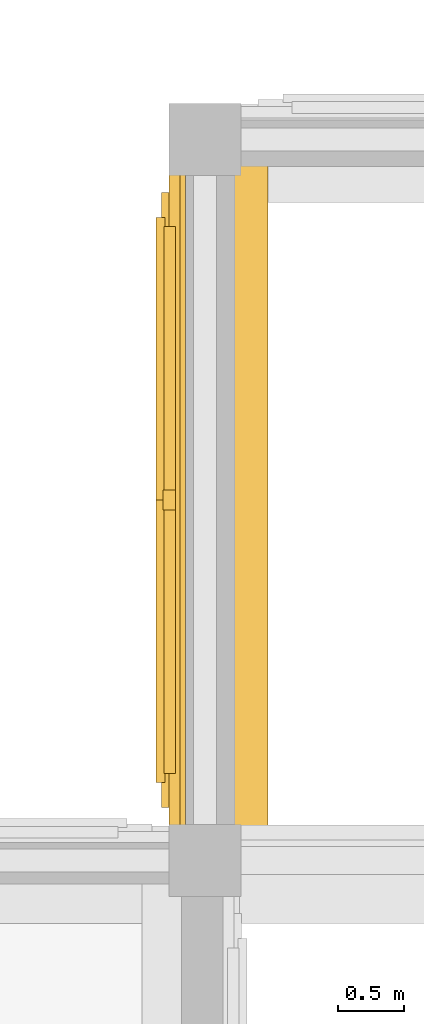
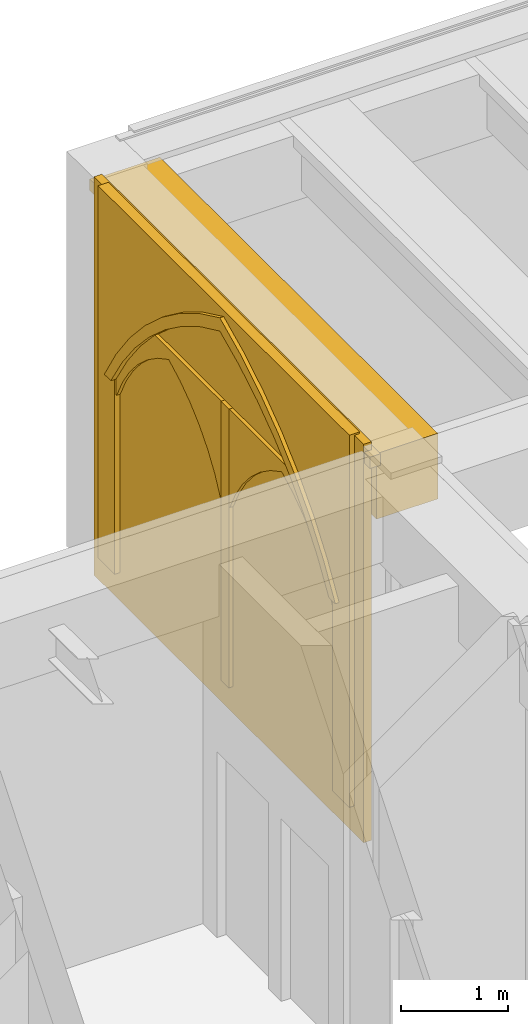
# One storey, part 120 of 127: 8 coverings.
"""IFC4 building model written with IfcOpenShell, lengths in metres."""

from ifc_helpers import new_model, si_unit, direction, frame, origin, origin_2d, place, context, subcontext, project, spatial, polyline, rectangle, outline, extrude, material, type_object, element, save


model = new_model("IFC4")

# Units and contexts
model_context = context("Model", 3, precision=1e-05, world=origin(), true_north=direction((0.0, 1.0)))
body_context = subcontext(model_context, "Body", "Model", "MODEL_VIEW")
ifc_project = project(units=[si_unit("LENGTHUNIT", "METRE"), si_unit("AREAUNIT", "SQUARE_METRE"), si_unit("VOLUMEUNIT", "CUBIC_METRE"), si_unit("PLANEANGLEUNIT", "RADIAN"), si_unit("MASSUNIT", "GRAM", prefix="KILO")], contexts=[model_context])

# Site, building, storey
site_placement = place(None, origin())
site = spatial("IfcSite", under=ifc_project, at=site_placement, CompositionType="ELEMENT")
building_placement = place(site_placement, origin())
building = spatial("IfcBuilding", under=site, at=building_placement, Name="Cumevento Cable Car Station", CompositionType="ELEMENT")
storey_placement = place(building_placement, frame((0.0, 0.0, 4.5)))
storey = spatial("IfcBuildingStorey", under=building, at=storey_placement, Name="L02", CompositionType="ELEMENT", Elevation=4.5)

# Coverings
ifc_material = material(Name="Gnaisse Facoidal Stone Ashlar 85 MPa", Category="masonry")
covering_type = type_object("IfcCoveringType", Name="Gnaisse Ashlar Cladding CV-CL01", PredefinedType="CLADDING", material=ifc_material)
covering_1_placement = place(storey_placement, frame((130.14990234375, 53.75, 3.682861328125), z_axis=(0.0, 0.0, 1.0), x_axis=(0.0, 1.0, 0.0)))
element("IfcCovering", 1, at=covering_1_placement, inside=storey, type_object=covering_type, Name="Gothic Stone Spandrel Stringcourse sc:0487", PredefinedType="CLADDING", context=body_context, shape_type="SweptSolid", body=[
    extrude(rectangle(XDim=5.18994140625, YDim=0.659912109375, at=origin_2d()), origin(), (0.0, 0.0, 1.0), 0.7470703125),
])
covering_2_placement = place(storey_placement, frame((129.79248046875, 53.75, 4.300048828125), z_axis=(0.0, 0.0, 1.0), x_axis=(0.0, 1.0, 0.0)))
element("IfcCovering", 2, at=covering_2_placement, inside=storey, type_object=covering_type, Name="Gothic Cornice Dripstone Lip sc:0487", PredefinedType="CLADDING", context=body_context, shape_type="SweptSolid", body=[
    extrude(rectangle(XDim=5.22998046875, YDim=0.114990234375, at=origin_2d()), origin(), (0.0, 0.0, 1.0), 0.1298828125),
])
covering_3_placement = place(storey_placement, frame((130.0, 51.27490234375, 0.0), z_axis=(0.0, 0.0, 1.0), x_axis=(0.0, 1.0, 0.0)))
element("IfcCovering", 3, at=covering_3_placement, inside=storey, type_object=covering_type, Name="Exterior Gnaisse Stone Wall Ashlar #107", PredefinedType="CLADDING", context=body_context, shape_type="SweptSolid", body=[
    extrude(outline(polyline([(-0.0400390625, -0.02001953125), (4.989990234375, -0.02001953125), (4.989990234375, 4.52001953125), (-0.0400390625, 4.52001953125), (-0.0400390625, -0.02001953125)])), frame((0.0, 0.27490234375, 0.0), z_axis=(0.0, -1.0, 0.0), x_axis=(1.0, 0.0, 0.0)), (0.0, 0.0, 1.0), 0.0849609375),
])
placement = place(storey_placement, frame((130.0, 51.455078125, 0.300048828125), z_axis=(0.0, 0.0, 1.0), x_axis=(0.0, 1.0, 0.0)))
element("IfcCovering", 4, at=placement, inside=storey, type_object=covering_type, Name="Gothic Ogival Pointed-Arch Stone Spandrel blind_ogival:0107", PredefinedType="CLADDING", context=body_context, shape_type="SweptSolid", body=[
    extrude(outline(polyline([(-0.050048828125, 0.0), (-0.050048828125, 4.239990234375), (4.639892578125, 4.239990234375), (4.639892578125, 0.0), (4.330078125, 0.0), (4.330078125, 2.219970703125), (4.119873046875, 2.5546875), (3.878662109375, 2.86767578125), (3.60888671875, 3.156494140625), (3.312744140625, 3.41845703125), (2.9931640625, 3.65087890625), (2.65283203125, 3.85205078125), (2.294921875, 4.02001953125), (1.937255859375, 3.85205078125), (1.596923828125, 3.65087890625), (1.27734375, 3.41845703125), (0.981201171875, 3.156494140625), (0.71142578125, 2.86767578125), (0.47021484375, 2.5546875), (0.260009765625, 2.219970703125), (0.260009765625, 0.0), (-0.050048828125, 0.0)])), frame((0.0, 0.330078125, 0.0), z_axis=(0.0, -1.0, 0.0), x_axis=(1.0, 0.0, 0.0)), (0.0, 0.0, 1.0), 0.110107421875),
])
covering_5_placement = place(storey_placement, frame((130.0, 51.455078125, 2.52001953125), z_axis=(0.0, 0.0, 1.0), x_axis=(0.0, 1.0, 0.0)))
element("IfcCovering", 5, at=covering_5_placement, inside=storey, type_object=covering_type, Name="Gothic Pointed Archivolt Hood Moulding blind_ogival:0107", PredefinedType="CLADDING", context=body_context, shape_type="SweptSolid", body=[
    extrude(outline(polyline([(0.260009765625, 0.0), (0.47021484375, 0.334716796875), (0.71142578125, 0.647705078125), (0.981201171875, 0.9365234375), (1.27734375, 1.198486328125), (1.596923828125, 1.430908203125), (1.937255859375, 1.632080078125), (2.294921875, 1.800048828125), (2.65283203125, 1.632080078125), (2.9931640625, 1.430908203125), (3.312744140625, 1.198486328125), (3.60888671875, 0.9365234375), (3.878662109375, 0.647705078125), (4.119873046875, 0.334716796875), (4.330078125, 0.0), (4.450927734375, 0.0), (4.231689453125, 0.36181640625), (3.978271484375, 0.700927734375), (3.693115234375, 1.013916015625), (3.37939453125, 1.298095703125), (3.03955078125, 1.55029296875), (2.677001953125, 1.768798828125), (2.294921875, 1.951171875), (1.9130859375, 1.768798828125), (1.550537109375, 1.55029296875), (1.210693359375, 1.298095703125), (0.89697265625, 1.013916015625), (0.61181640625, 0.700927734375), (0.3583984375, 0.36181640625), (0.138916015625, 0.0), (0.260009765625, 0.0)])), frame((0.0, 0.3720703125, 0.0), z_axis=(0.0, -1.0, 0.0), x_axis=(1.0, 0.0, 0.0)), (0.0, 0.0, 1.0), 0.06689453125),
])
element("IfcCovering", 6, at=placement, inside=storey, type_object=covering_type, Name="Gothic Bifora Stone Colonnette blind_ogival:0107 #1", PredefinedType="CLADDING", context=body_context, shape_type="SweptSolid", body=[
    extrude(outline(polyline([(2.219970703125, -0.02001953125), (2.3701171875, -0.02001953125), (2.3701171875, 3.156005859375), (2.219970703125, 3.156005859375), (2.219970703125, -0.02001953125)])), frame((0.0, 0.318115234375, 0.0), z_axis=(0.0, -1.0, 0.0), x_axis=(1.0, 0.0, 0.0)), (0.0, 0.0, 1.0), 0.094970703125),
])
for number, where, z_axis, x_axis, name in (
    (7, (130.0, 51.68505859375, 2.340087890625), (0.0, 0.0, 1.0), (0.0, 1.0, 0.0), "Gothic Ogival Pointed-Arch Stone Spandrel blind_ogival:0107:sub:0"),
    (8, (130.0, 53.794921875, 2.340087890625), (0.0, 0.0, 1.0), (0.0, 1.0, 0.0), "Gothic Ogival Pointed-Arch Stone Spandrel blind_ogival:0107:sub:1"),
):
    element("IfcCovering", number, at=place(storey_placement, frame(where, z_axis=z_axis, x_axis=x_axis)), inside=storey, type_object=covering_type, Name=name, PredefinedType="CLADDING", context=body_context, shape_type="SweptSolid", body=[
        extrude(outline(polyline([(-0.02001953125, 0.0), (-0.02001953125, 1.115966796875), (2.0400390625, 1.115966796875), (2.0400390625, 0.0), (1.97998046875, 0.0), (1.87353515625, 0.211669921875), (1.7421875, 0.40869140625), (1.587646484375, 0.588134765625), (1.412109375, 0.747314453125), (1.21875, 0.884033203125), (1.010009765625, 0.99609375), (0.80126953125, 0.884033203125), (0.60791015625, 0.747314453125), (0.432373046875, 0.588134765625), (0.27783203125, 0.40869140625), (0.146484375, 0.211669921875), (0.0400390625, 0.0), (-0.02001953125, 0.0)])), frame((0.0, 0.31396484375, 0.0), z_axis=(0.0, -1.0, 0.0), x_axis=(1.0, 0.0, 0.0)), (0.0, 0.0, 1.0), 0.090087890625),
    ])

save(model, "model.ifc")
